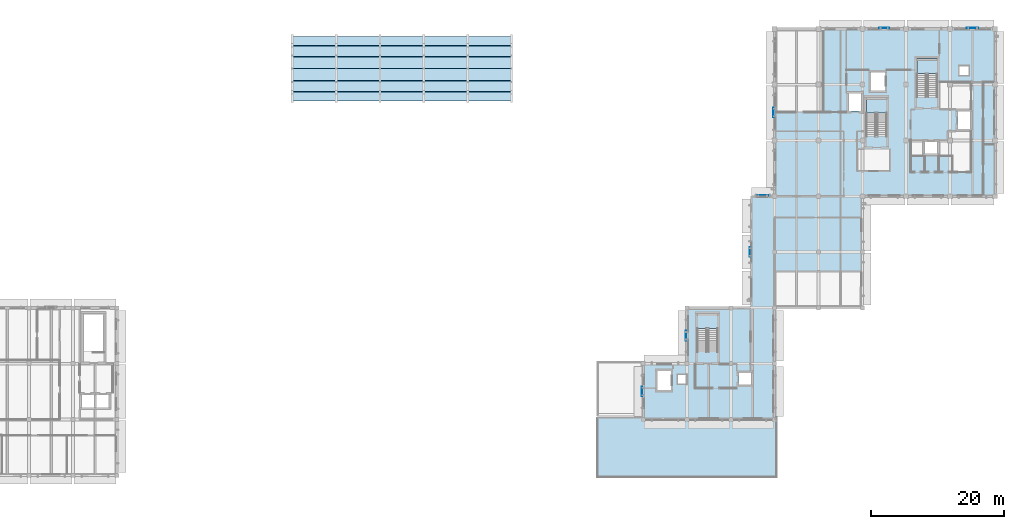
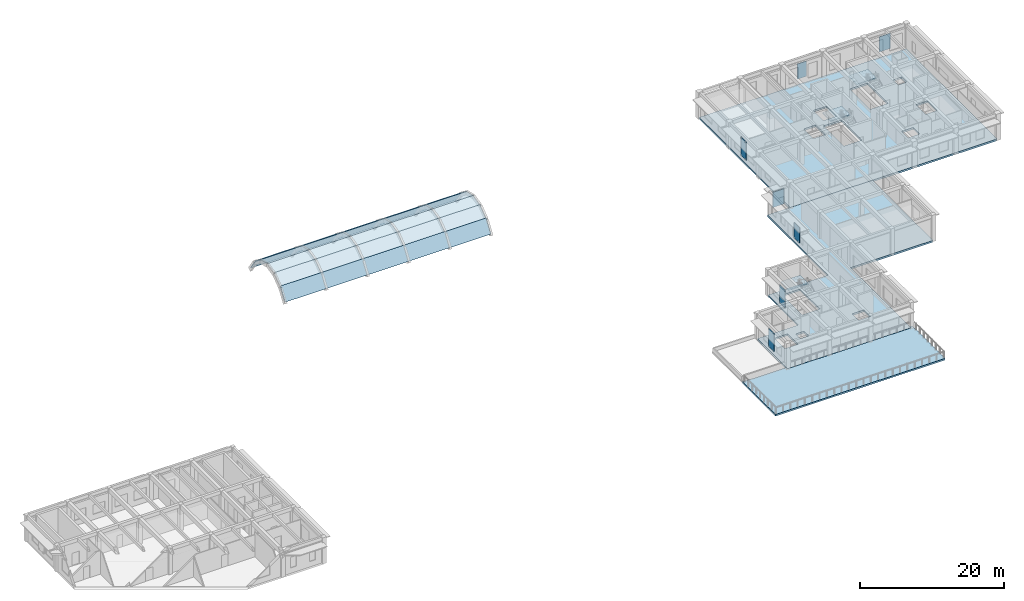
# One storey, part 5 of 20: 12 slabs, 7 plates, 3 elements without a shape of their own.
"""IFC4 building model written with IfcOpenShell, lengths in metres."""

from ifc_helpers import new_model, si_unit, direction, frame, origin, origin_2d, place, context, subcontext, project, spatial, polyline, rectangle, outline, extrude, material, layer, layer_set, type_object, element, aggregate, save


model = new_model("IFC4")

# Units and contexts
model_context = context("Model", 3, precision=1e-05, world=origin(), true_north=direction((0.0, 1.0)))
body_context = subcontext(model_context, "Body", "Model", "MODEL_VIEW")
ifc_project = project(units=[si_unit("LENGTHUNIT", "METRE"), si_unit("AREAUNIT", "SQUARE_METRE"), si_unit("VOLUMEUNIT", "CUBIC_METRE"), si_unit("PLANEANGLEUNIT", "RADIAN"), si_unit("MASSUNIT", "GRAM", prefix="KILO")], contexts=[model_context])

# Site, building, storey
site_placement = place(None, origin())
site = spatial("IfcSite", under=ifc_project, at=site_placement, CompositionType="ELEMENT")
building_placement = place(site_placement, origin())
building = spatial("IfcBuilding", under=site, at=building_placement, Name="Kolvaren Faculty of Natural Sciences", CompositionType="ELEMENT")
storey_placement = place(building_placement, frame((0.0, 0.0, 24.0)))
storey = spatial("IfcBuildingStorey", under=building, at=storey_placement, Name="L05", CompositionType="ELEMENT", Elevation=24.0)

# Slabs
ifc_material_1 = material(Name="Concrete C40/50", Category="concrete")
ifc_layer_1 = layer(ifc_material_1, 0.110107421875)
ifc_layer_set_1 = layer_set([ifc_layer_1], Name="Concrete C40/50")
slab_type_1 = type_object("IfcSlabType", Name="BarrelShellStrip_110", PredefinedType="ROOF", material=ifc_layer_set_1)
slab_1_placement = place(storey_placement, frame((66.199951171875, 73.345947265625, 0.672607421875), z_axis=(0.0, -0.826218574239, 0.563349684993), x_axis=(1.0, 0.0, 0.0)))
element("IfcSlab", 1, at=slab_1_placement, inside=storey, type_object=slab_type_1, Name="Central Sky-Lit Atrium Barrel Vault Shell vault strip 3", PredefinedType="ROOF", context=body_context, shape_type="SweptSolid", body=[
    extrude(outline(polyline([(0.0, 0.0), (33.0, 0.0), (33.0, 2.3562497920635748), (0.0, 2.3562497920635748), (0.0, 0.0)])), origin(), (0.0, 0.0, -1.0), 0.110107421875),
])
slab_2_placement = place(storey_placement, frame((66.199951171875, 74.67333984375, 2.619384765625), z_axis=(0.0, -0.598633493147, 0.801023058896), x_axis=(1.0, 0.0, 0.0)))
element("IfcSlab", 2, at=slab_2_placement, inside=storey, type_object=slab_type_1, Name="Central Sky-Lit Atrium Barrel Vault Shell vault strip 4", PredefinedType="ROOF", context=body_context, shape_type="SweptSolid", body=[
    extrude(outline(polyline([(0.0, 0.0), (33.0, 0.0), (33.0, 2.0880889798357094), (0.0, 2.0880889798357094), (0.0, 0.0)])), origin(), (0.0, 0.0, -1.0), 0.110107421875),
])
slab_3_placement = place(storey_placement, frame((66.199951171875, 76.345947265625, 3.869384765625), z_axis=(0.0, -0.226264454176, 0.974065909873), x_axis=(1.0, 0.0, 0.0)))
element("IfcSlab", 3, at=slab_3_placement, inside=storey, type_object=slab_type_1, Name="Central Sky-Lit Atrium Barrel Vault Shell vault strip 5", PredefinedType="ROOF", context=body_context, shape_type="SweptSolid", body=[
    extrude(outline(polyline([(0.0, 0.0), (33.0, 0.0), (33.0, 1.9033659708840185), (0.0, 1.9033659708840185), (0.0, 0.0)])), origin(), (0.0, 0.0, -1.0), 0.110107421875),
])
slab_4_placement = place(storey_placement, frame((66.199951171875, 78.199951171875, 4.300048828125), z_axis=(0.0, 0.226236187833, 0.974072475391), x_axis=(1.0, 0.0, 0.0)))
element("IfcSlab", 4, at=slab_4_placement, inside=storey, type_object=slab_type_1, Name="Central Sky-Lit Atrium Barrel Vault Shell vault strip 6", PredefinedType="ROOF", context=body_context, shape_type="SweptSolid", body=[
    extrude(outline(polyline([(0.0, 0.0), (33.0, 0.0), (33.0, 1.903603780745551), (0.0, 1.903603780745551), (0.0, 0.0)])), origin(), (0.0, 0.0, -1.0), 0.110107421875),
])
slab_5_placement = place(storey_placement, frame((66.199951171875, 80.05419921875, 3.869384765625), z_axis=(0.0, 0.598633493147, 0.801023058896), x_axis=(1.0, 0.0, 0.0)))
element("IfcSlab", 5, at=slab_5_placement, inside=storey, type_object=slab_type_1, Name="Central Sky-Lit Atrium Barrel Vault Shell vault strip 7", PredefinedType="ROOF", context=body_context, shape_type="SweptSolid", body=[
    extrude(outline(polyline([(0.0, 0.0), (33.0, 0.0), (33.0, 2.0880889798357094), (0.0, 2.0880889798357094), (0.0, 0.0)])), origin(), (0.0, 0.0, -1.0), 0.110107421875),
])
slab_6_placement = place(storey_placement, frame((66.199951171875, 81.726806640625, 2.619384765625), z_axis=(0.0, 0.826218574239, 0.563349684993), x_axis=(1.0, 0.0, 0.0)))
element("IfcSlab", 6, at=slab_6_placement, inside=storey, type_object=slab_type_1, Name="Central Sky-Lit Atrium Barrel Vault Shell vault strip 8", PredefinedType="ROOF", context=body_context, shape_type="SweptSolid", body=[
    extrude(outline(polyline([(0.0, 0.0), (33.0, 0.0), (33.0, 2.3562497920635748), (0.0, 2.3562497920635748), (0.0, 0.0)])), origin(), (0.0, 0.0, -1.0), 0.110107421875),
])

# Plates
ifc_material_2 = material(Name="Extruded architectural terracotta screen", Category="masonry")
ifc_layer_2 = layer(ifc_material_2, 0.06494140625)
ifc_layer_set_2 = layer_set([ifc_layer_2], Name="Extruded architectural terracotta screen")
plate_type_1 = type_object("IfcPlateType", Name="EnvelopePlate_JL01", PredefinedType="USERDEFINED", material=ifc_layer_set_2)
for number, where, z_axis, x_axis, name in (
    (7, (135.06005859375, 50.60009765625, 0.849853515625), (0.0, 0.0, 1.0), (0.0, 1.0, 0.0), "L05 perforated terracotta jali sun screen JL-01"),
    (8, (155.300048828125, 84.340087890625, 0.849853515625), (0.0, 0.0, 1.0), (1.0, 0.0, 0.0), "L05 perforated terracotta jali sun screen JL-01"),
):
    element("IfcPlate", number, at=place(storey_placement, frame(where, z_axis=z_axis, x_axis=x_axis)), inside=storey, type_object=plate_type_1, Name=name, ObjectType="SCREEN", PredefinedType="USERDEFINED", context=body_context, shape_type="SweptSolid", body=[
        extrude(rectangle(XDim=1.449951171875, YDim=0.06494140625, at=origin_2d()), origin(), (0.0, 0.0, 1.0), 2.60009765625),
    ])
ifc_layer_3 = layer(ifc_material_2, 0.06494140625)
ifc_layer_set_3 = layer_set([ifc_layer_3], Name="Extruded architectural terracotta screen")
plate_type_2 = type_object("IfcPlateType", Name="EnvelopePlate_JL02", PredefinedType="USERDEFINED", material=ifc_layer_set_3)
for number, where, z_axis, x_axis, name in (
    (9, (137.0, 59.139892578125, 0.849853515625), (0.0, 0.0, 1.0), (1.0, 0.0, 0.0), "L05 perforated terracotta jali sun screen JL-02"),
    (10, (168.60009765625, 84.340087890625, 0.849853515625), (0.0, 0.0, 1.0), (1.0, 0.0, 0.0), "L05 perforated terracotta jali sun screen JL-02"),
):
    element("IfcPlate", number, at=place(storey_placement, frame(where, z_axis=z_axis, x_axis=x_axis)), inside=storey, type_object=plate_type_2, Name=name, ObjectType="SCREEN", PredefinedType="USERDEFINED", context=body_context, shape_type="SweptSolid", body=[
        extrude(rectangle(XDim=1.75, YDim=0.06494140625, at=origin_2d()), origin(), (0.0, 0.0, 1.0), 2.60009765625),
    ])
ifc_layer_4 = layer(ifc_material_2, 0.06494140625)
ifc_layer_set_4 = layer_set([ifc_layer_4], Name="Extruded architectural terracotta screen")
plate_type_3 = type_object("IfcPlateType", Name="EnvelopePlate_JL03", PredefinedType="USERDEFINED", material=ifc_layer_set_4)
for number, where, z_axis, x_axis, name in (
    (11, (125.4599609375, 38.0, 0.849853515625), (0.0, 0.0, 1.0), (0.0, 1.0, 0.0), "L05 perforated terracotta jali sun screen JL-03"),
    (12, (138.659912109375, 71.60009765625, 0.849853515625), (0.0, 0.0, 1.0), (0.0, 1.0, 0.0), "L05 perforated terracotta jali sun screen JL-03"),
    (13, (118.860107421875, 29.60009765625, 0.849853515625), (0.0, 0.0, 1.0), (0.0, 1.0, 0.0), "L05 perforated terracotta jali sun screen JL-03"),
):
    element("IfcPlate", number, at=place(storey_placement, frame(where, z_axis=z_axis, x_axis=x_axis)), inside=storey, type_object=plate_type_3, Name=name, ObjectType="SCREEN", PredefinedType="USERDEFINED", context=body_context, shape_type="SweptSolid", body=[
        extrude(rectangle(XDim=1.449951171875, YDim=0.06494140625, at=origin_2d()), origin(), (0.0, 0.0, 1.0), 3.10009765625),
    ])

# Slabs
ifc_material_3 = material(Name="Concrete C35/45", Category="concrete")
ifc_layer_5 = layer(ifc_material_3, 0.300048828125)
ifc_layer_set_5 = layer_set([ifc_layer_5], Name="Concrete C35/45")
slab_type_2 = type_object("IfcSlabType", Name="LabFloorSlab_300", PredefinedType="FLOOR", material=ifc_layer_set_5)
slab_7_placement = place(storey_placement, frame((0.0, 0.0, -0.300048828125)))
element("IfcSlab", 14, at=slab_7_placement, inside=storey, type_object=slab_type_2, Name="L05 V5 structural slab 1", PredefinedType="FLOOR", context=body_context, shape_type="SweptSolid", body=[
    extrude(outline(polyline([(119.0, 25.39990234375), (119.0, 33.800048828125), (125.60009765625, 33.800048828125), (125.60009765625, 42.199951171875), (135.199951171875, 42.199951171875), (135.199951171875, 59.0), (152.0, 59.0), (152.0, 42.199951171875), (138.800048828125, 42.199951171875), (138.800048828125, 33.800048828125), (138.800048828125, 25.39990234375), (119.0, 25.39990234375)]), holes=[polyline([(133.39990234375, 32.39990234375), (133.39990234375, 30.60009765625), (135.300048828125, 30.60009765625), (135.300048828125, 32.39990234375), (133.39990234375, 32.39990234375)]), polyline([(130.1298828125, 41.22998046875), (127.27001953125, 41.22998046875), (127.27001953125, 35.669921875), (130.1298828125, 35.669921875), (130.1298828125, 41.22998046875)]), polyline([(125.5, 32.10009765625), (124.199951171875, 32.10009765625), (124.199951171875, 30.800048828125), (125.5, 30.800048828125), (125.5, 32.10009765625)]), polyline([(123.199951171875, 32.699951171875), (121.10009765625, 32.699951171875), (121.10009765625, 29.800048828125), (123.199951171875, 29.800048828125), (123.199951171875, 32.699951171875)])]), origin(), (0.0, 0.0, 1.0), 0.300048828125),
])
slab_8_placement = place(storey_placement, frame((0.0, 0.0, -0.300048828125)))
element("IfcSlab", 15, at=slab_8_placement, inside=storey, type_object=slab_type_2, Name="L05 V6 structural slab 1", PredefinedType="FLOOR", context=body_context, shape_type="SweptSolid", body=[
    extrude(outline(polyline([(138.800048828125, 59.0), (138.800048828125, 84.199951171875), (172.0, 84.199951171875), (172.0, 59.0), (138.800048828125, 59.0)]), holes=[polyline([(168.25, 71.800048828125), (166.35009765625, 71.800048828125), (166.35009765625, 69.10009765625), (168.25, 69.10009765625), (168.25, 71.800048828125)]), polyline([(168.0, 78.60009765625), (166.60009765625, 78.60009765625), (166.60009765625, 77.199951171875), (168.0, 77.199951171875), (168.0, 78.60009765625)]), polyline([(161.39990234375, 67.199951171875), (161.39990234375, 65.39990234375), (163.300048828125, 65.39990234375), (163.300048828125, 67.199951171875), (161.39990234375, 67.199951171875)]), polyline([(163.179931640625, 79.679931640625), (160.320068359375, 79.679931640625), (160.320068359375, 74.02001953125), (163.179931640625, 74.02001953125), (163.179931640625, 79.679931640625)]), polyline([(155.580078125, 73.780029296875), (152.719970703125, 73.780029296875), (152.719970703125, 68.1201171875), (155.580078125, 68.1201171875), (155.580078125, 73.780029296875)]), polyline([(155.39990234375, 77.699951171875), (153.300048828125, 77.699951171875), (153.300048828125, 74.89990234375), (155.39990234375, 74.89990234375), (155.39990234375, 77.699951171875)]), polyline([(151.85009765625, 74.5), (149.949951171875, 74.5), (149.949951171875, 71.800048828125), (151.85009765625, 71.800048828125), (151.85009765625, 74.5)])]), origin(), (0.0, 0.0, 1.0), 0.300048828125),
])
ifc_layer_6 = layer(ifc_material_3, 0.27001953125)
ifc_layer_set_6 = layer_set([ifc_layer_6], Name="Concrete C35/45")
slab_type_3 = type_object("IfcSlabType", Name="PlantedTerraceSlab_270", PredefinedType="FLOOR", material=ifc_layer_set_6)
slab_9_placement = place(storey_placement, frame((0.0, 0.0, -0.27001953125)))
element("IfcSlab", 16, at=slab_9_placement, inside=storey, type_object=slab_type_3, Name="Computational Sciences Chahar-Bagh Roof Terrace", PredefinedType="FLOOR", context=body_context, shape_type="SweptSolid", body=[
    extrude(outline(polyline([(112.02001953125, 16.6201171875), (112.02001953125, 25.780029296875), (118.989990234375, 25.780029296875), (118.989990234375, 25.39990234375), (118.989990234375, 25.39892578125), (118.990234375, 25.39794921875), (118.990478515625, 25.397216796875), (118.99072265625, 25.396240234375), (118.9912109375, 25.395263671875), (118.99169921875, 25.394287109375), (118.9921875, 25.393798828125), (118.992919921875, 25.392822265625), (118.99365234375, 25.392333984375), (118.994384765625, 25.3916015625), (118.995361328125, 25.39111328125), (118.99609375, 25.390869140625), (118.9970703125, 25.390380859375), (118.998046875, 25.39013671875), (118.9990234375, 25.389892578125), (119.0, 25.389892578125), (138.800048828125, 25.389892578125), (138.801025390625, 25.389892578125), (138.802001953125, 25.39013671875), (138.802978515625, 25.390380859375), (138.8037109375, 25.390869140625), (138.8046875, 25.39111328125), (138.8056640625, 25.3916015625), (138.806396484375, 25.392333984375), (138.80712890625, 25.392822265625), (138.8076171875, 25.393798828125), (138.808349609375, 25.394287109375), (138.808837890625, 25.395263671875), (138.80908203125, 25.396240234375), (138.8095703125, 25.397216796875), (138.809814453125, 25.39794921875), (138.81005859375, 25.39892578125), (138.81005859375, 25.39990234375), (138.81005859375, 25.780029296875), (139.179931640625, 25.780029296875), (139.179931640625, 16.6201171875), (112.02001953125, 16.6201171875)])), origin(), (0.0, 0.0, 1.0), 0.27001953125),
])

# Stair, slab
stair_type = type_object("IfcStairType", Name="DoglegStair_H4500", PredefinedType="HALF_TURN_STAIR", material=ifc_material_3)
stair_1_placement = place(storey_placement, origin())
stair_1 = element("IfcStair", 17, at=stair_1_placement, inside=storey, type_object=stair_type, Name="L05 Protected exit stair ST-1", PredefinedType="HALF_TURN_STAIR")
ifc_layer_7 = layer(ifc_material_3, 0.199951171875)
ifc_layer_set_7 = layer_set([ifc_layer_7], Name="Concrete C35/45")
slab_type_4 = type_object("IfcSlabType", Name="StairLandingSlab_200", PredefinedType="LANDING", material=ifc_layer_set_7)
slab_10_placement = place(storey_placement, frame((0.0, 0.0, 2.050048828125)))
slab_10 = element("IfcSlab", 18, at=slab_10_placement, type_object=slab_type_4, Name="ST-1 landing 1", PredefinedType="LANDING", context=body_context, shape_type="SweptSolid", body=[
    extrude(outline(polyline([(163.300048828125, 77.43994140625), (163.300048828125, 79.800048828125), (160.199951171875, 79.800048828125), (160.199951171875, 77.43994140625), (163.300048828125, 77.43994140625)])), origin(), (0.0, 0.0, 1.0), 0.199951171875),
])
aggregate(stair_1, [slab_10])

stair_2_placement = place(storey_placement, origin())
stair_2 = element("IfcStair", 19, at=stair_2_placement, inside=storey, type_object=stair_type, Name="L05 Protected exit stair ST-2", PredefinedType="HALF_TURN_STAIR")
slab_11_placement = place(storey_placement, frame((0.0, 0.0, 2.050048828125)))
slab_11 = element("IfcSlab", 20, at=slab_11_placement, type_object=slab_type_4, Name="ST-2 landing 1", PredefinedType="LANDING", context=body_context, shape_type="SweptSolid", body=[
    extrude(outline(polyline([(155.699951171875, 71.5400390625), (155.699951171875, 73.89990234375), (152.60009765625, 73.89990234375), (152.60009765625, 71.5400390625), (155.699951171875, 71.5400390625)])), origin(), (0.0, 0.0, 1.0), 0.199951171875),
])
aggregate(stair_2, [slab_11])

stair_3_placement = place(storey_placement, origin())
stair_3 = element("IfcStair", 21, at=stair_3_placement, inside=storey, type_object=stair_type, Name="L05 Protected exit stair ST-3", PredefinedType="HALF_TURN_STAIR")
slab_12_placement = place(storey_placement, frame((0.0, 0.0, 2.050048828125)))
slab_12 = element("IfcSlab", 22, at=slab_12_placement, type_object=slab_type_4, Name="ST-3 landing 1", PredefinedType="LANDING", context=body_context, shape_type="SweptSolid", body=[
    extrude(outline(polyline([(130.25, 39.090087890625), (130.25, 41.35009765625), (127.14990234375, 41.35009765625), (127.14990234375, 39.090087890625), (130.25, 39.090087890625)])), origin(), (0.0, 0.0, 1.0), 0.199951171875),
])
aggregate(stair_3, [slab_12])

save(model, "model.ifc")
